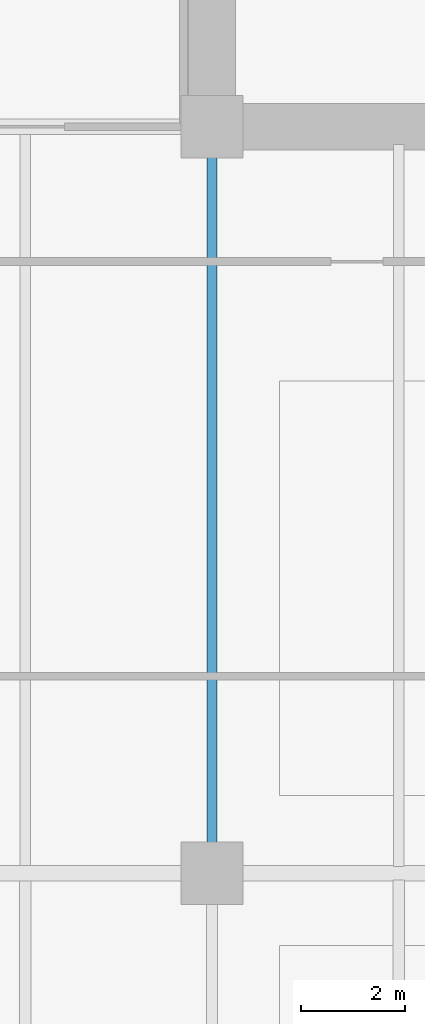
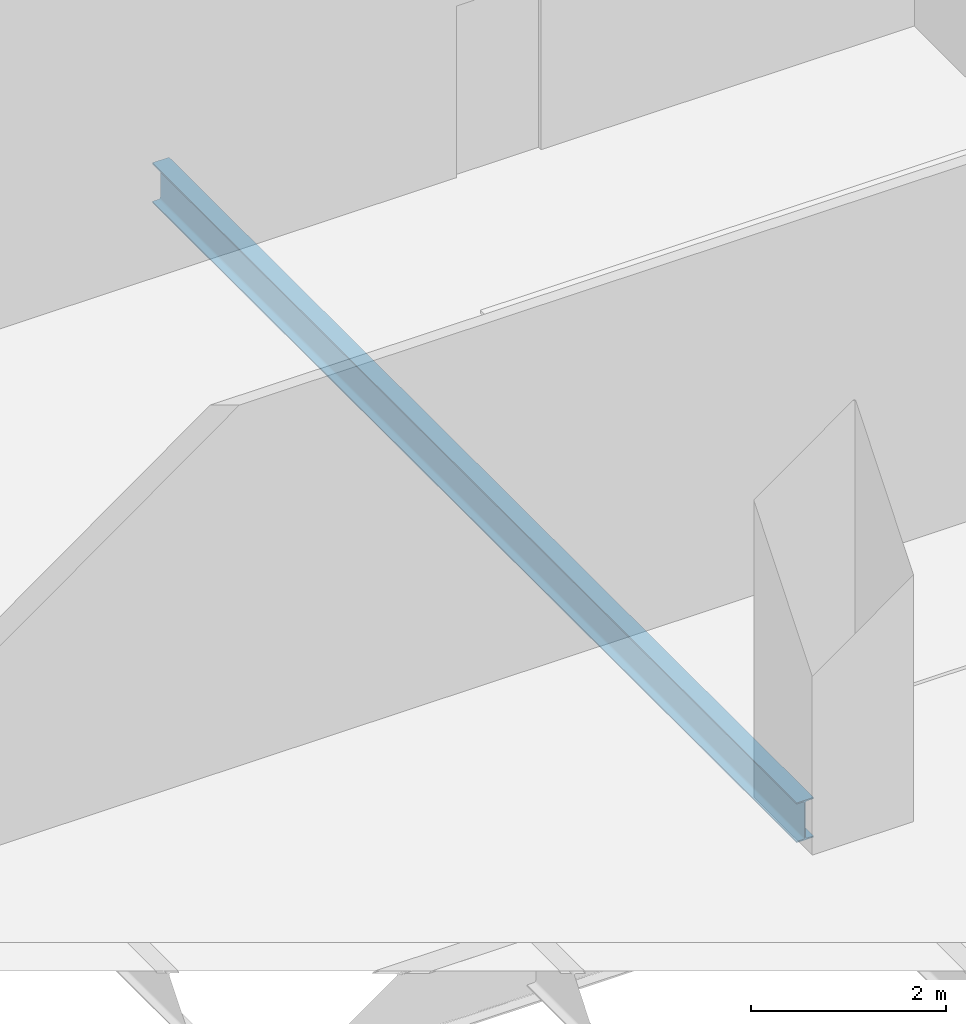
# One storey, part 9 of 37: 1 beam.
"""IFC4 building model written with IfcOpenShell, lengths in metres."""

from ifc_helpers import new_model, si_unit, direction, frame, origin, origin_2d, place, context, subcontext, project, spatial, i_section, extrude, material, material_profile, profile_set, type_object, element, save


model = new_model("IFC4")

# Units and contexts
model_context = context("Model", 3, precision=1e-05, world=origin(), true_north=direction((0.0, 1.0)))
body_context = subcontext(model_context, "Body", "Model", "MODEL_VIEW")
ifc_project = project(units=[si_unit("LENGTHUNIT", "METRE"), si_unit("AREAUNIT", "SQUARE_METRE"), si_unit("VOLUMEUNIT", "CUBIC_METRE"), si_unit("PLANEANGLEUNIT", "RADIAN"), si_unit("MASSUNIT", "GRAM", prefix="KILO")], contexts=[model_context])

# Site, building, storey
site_placement = place(None, origin())
site = spatial("IfcSite", under=ifc_project, at=site_placement, CompositionType="ELEMENT")
building_placement = place(site_placement, origin())
building = spatial("IfcBuilding", under=site, at=building_placement, Name="Kaelvorn Grand Hotel", CompositionType="ELEMENT")
storey_placement = place(building_placement, frame((0.0, 0.0, 224.35009765625)))
storey = spatial("IfcBuildingStorey", under=building, at=storey_placement, Name="L55", CompositionType="ELEMENT", Elevation=224.35009765625)

# Beam
ifc_material = material(Name="Steel S355", Category="steel")
ifc_material_profile = material_profile(ifc_material, i_section(OverallWidth=0.199951171875, OverallDepth=0.5, WebThickness=0.01025390625, FlangeThickness=0.01611328125, FilletRadius=0.02099609375, at=origin_2d()), Name="IPE 500")
ifc_profile_set = profile_set([ifc_material_profile], Name="Steel S355")
beam_type = type_object("IfcBeamType", Name="BM-J-IPE500-S355", PredefinedType="JOIST", material=ifc_profile_set)
beam_placement = place(storey_placement, frame((16.199951171875, 15.5849609375, -0.489990234375), z_axis=(0.0, 1.0, 0.0), x_axis=(-1.0, 0.0, 0.0)))
element("IfcBeam", 1, at=beam_placement, inside=storey, type_object=beam_type, Name="L55 Composite Floor Joist JM-05", PredefinedType="JOIST", context=body_context, shape_type="SweptSolid", body=[
    extrude(i_section(OverallWidth=0.199951171875, OverallDepth=0.5, WebThickness=0.01025390625, FlangeThickness=0.01611328125, FilletRadius=0.02099609375, at=origin_2d()), origin(), (0.0, 0.0, 1.0), 13.22998046875),
])

save(model, "model.ifc")
